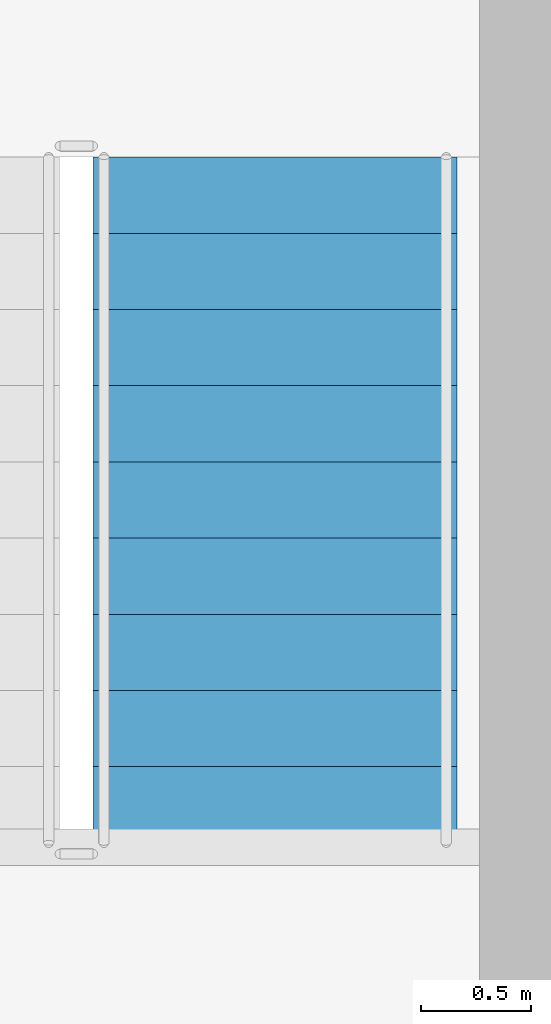
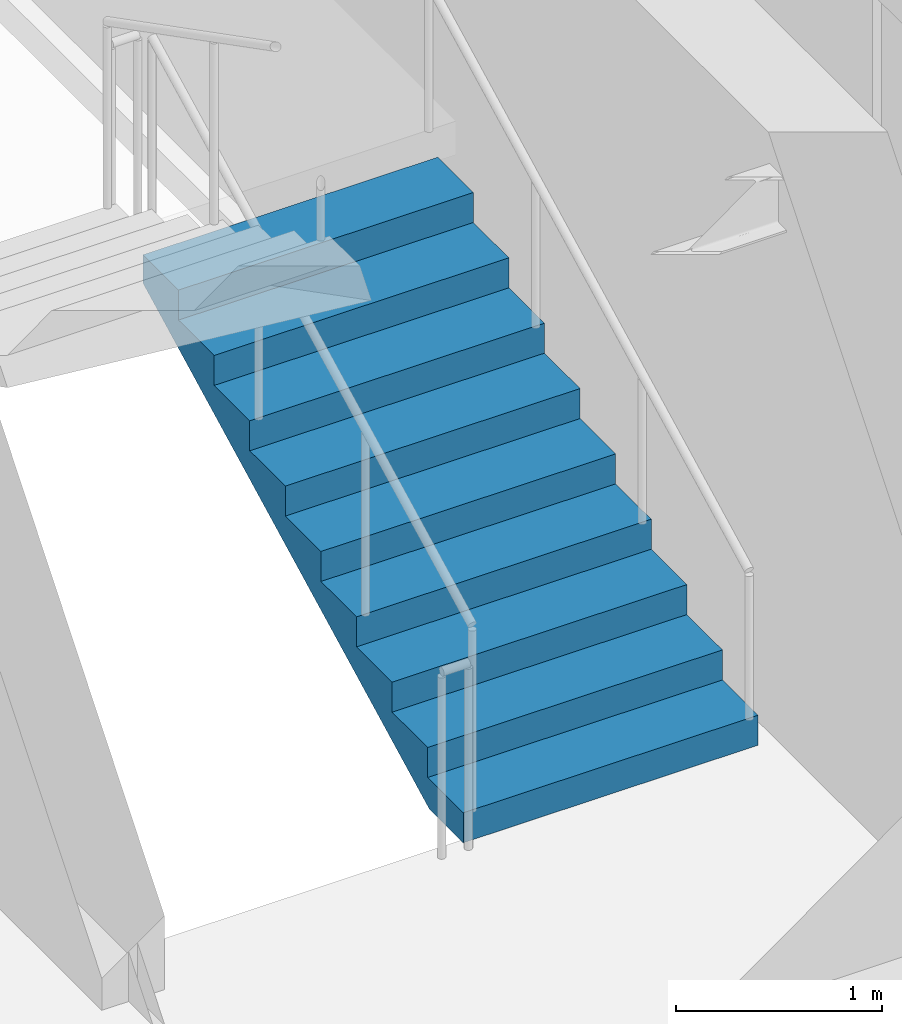
# One storey, part 18 of 19: 1 stair flight, 1 element without a shape of its own.
"""IFC4 building model written with IfcOpenShell, lengths in metres."""

from ifc_helpers import new_model, si_unit, direction, frame, origin, place, context, subcontext, project, spatial, polyline, outline, extrude, material, type_object, element, aggregate, save


model = new_model("IFC4")

# Units and contexts
model_context = context("Model", 3, precision=1e-05, world=origin(), true_north=direction((0.0, 1.0)))
body_context = subcontext(model_context, "Body", "Model", "MODEL_VIEW")
ifc_project = project(units=[si_unit("LENGTHUNIT", "METRE"), si_unit("AREAUNIT", "SQUARE_METRE"), si_unit("VOLUMEUNIT", "CUBIC_METRE"), si_unit("PLANEANGLEUNIT", "RADIAN"), si_unit("MASSUNIT", "GRAM", prefix="KILO")], contexts=[model_context])

# Site, building, storey
site_placement = place(None, origin())
site = spatial("IfcSite", under=ifc_project, at=site_placement, CompositionType="ELEMENT")
building_placement = place(site_placement, origin())
building = spatial("IfcBuilding", under=site, at=building_placement, Name="Tolvann Quenvar Hotel", CompositionType="ELEMENT")
storey_placement = place(building_placement, frame((0.0, 0.0, 223.89990234375)))
storey = spatial("IfcBuildingStorey", under=building, at=storey_placement, Name="L59", CompositionType="ELEMENT", Elevation=223.89990234375)

# Stair, stair flight
ifc_material = material(Name="Concrete N40 (40 MPa)", Category="concrete")
stair_type = type_object("IfcStairType", Name="STAIR", PredefinedType="HALF_TURN_STAIR", material=ifc_material)
stair_placement = place(storey_placement, origin())
stair = element("IfcStair", 1, at=stair_placement, inside=storey, type_object=stair_type, Name="L59 ST-C2", PredefinedType="HALF_TURN_STAIR")
stair_flight_type = type_object("IfcStairFlightType", Name="STAIR_FLIGHT", PredefinedType="STRAIGHT", material=ifc_material)
stair_flight_placement = place(storey_placement, frame((34.574951171875, 34.0, 0.0), z_axis=(0.0, 0.0, 1.0), x_axis=(0.0, 1.0, 0.0)))
stair_flight = element("IfcStairFlight", 2, at=stair_flight_placement, type_object=stair_flight_type, Name="ST-C2 flight 1", NumberOfRisers=10, NumberOfTreads=9, PredefinedType="STRAIGHT", RiserHeight=0.1775, TreadLength=0.345, context=body_context, shape_type="SweptSolid", body=[
    extrude(outline(polyline([(0.0, 0.0), (0.0, 0.177490234375), (0.344970703125, 0.177490234375), (0.344970703125, 0.35498046875), (0.68994140625, 0.35498046875), (0.68994140625, 0.532470703125), (1.034912109375, 0.532470703125), (1.034912109375, 0.7099609375), (1.3798828125, 0.7099609375), (1.3798828125, 0.887451171875), (1.72509765625, 0.887451171875), (1.72509765625, 1.06494140625), (2.070068359375, 1.06494140625), (2.070068359375, 1.242431640625), (2.4150390625, 1.242431640625), (2.4150390625, 1.419921875), (2.760009765625, 1.419921875), (2.760009765625, 1.597412109375), (3.10498046875, 1.597412109375), (3.10498046875, 1.77490234375), (3.10498046875, 1.428955078125), (0.32763671875, 0.0), (0.0, 0.0)])), frame((0.0, 0.824951171875, 0.0), z_axis=(0.0, -1.0, 0.0), x_axis=(1.0, 0.0, 0.0)), (0.0, 0.0, 1.0), 1.64990234375),
])
aggregate(stair, [stair_flight])

save(model, "model.ifc")
